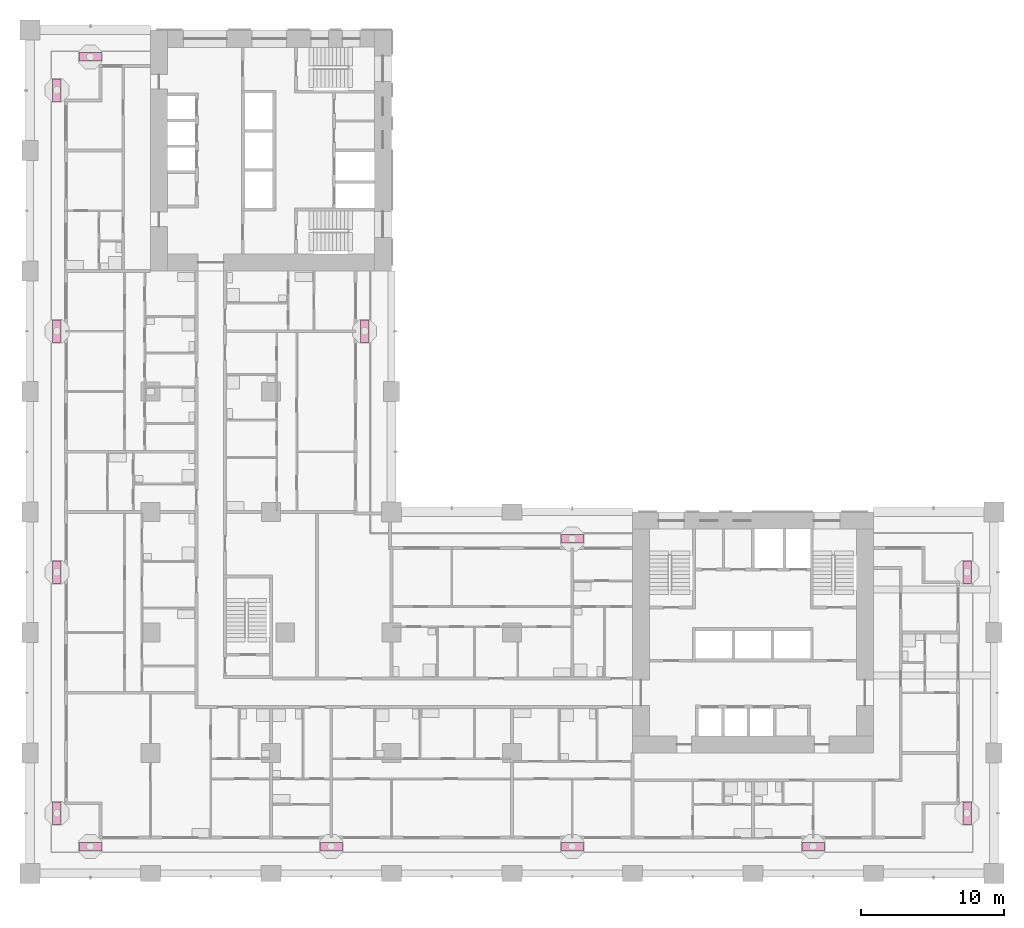
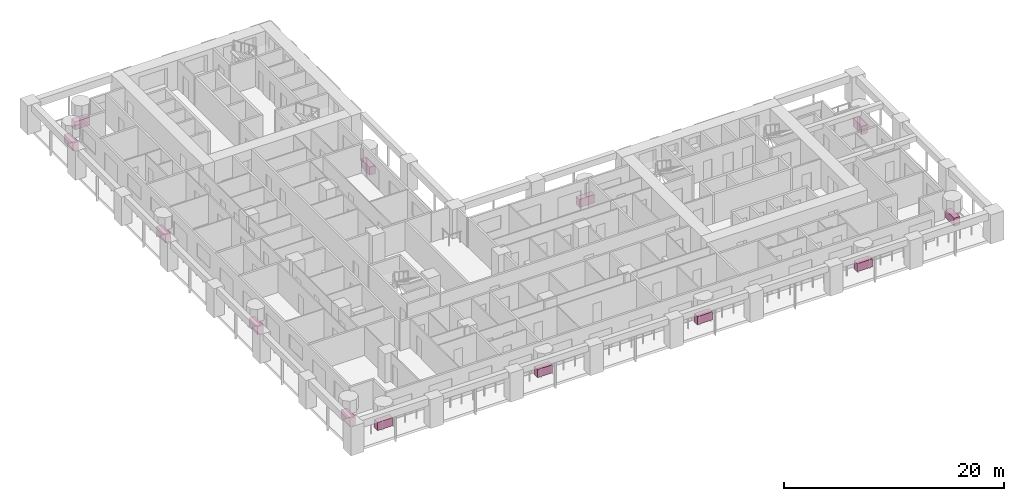
# One storey, part 20 of 21: 13 furniture elements.
"""IFC4 building model written with IfcOpenShell, lengths in metres."""

from ifc_helpers import new_model, si_unit, direction, frame, origin, origin_2d, place, context, subcontext, project, spatial, rectangle, extrude, material, element, save


model = new_model("IFC4")

# Units and contexts
model_context = context("Model", 3, precision=1e-05, world=origin(), true_north=direction((0.0, 1.0)))
body_context = subcontext(model_context, "Body", "Model", "MODEL_VIEW")
ifc_project = project(units=[si_unit("LENGTHUNIT", "METRE"), si_unit("AREAUNIT", "SQUARE_METRE"), si_unit("VOLUMEUNIT", "CUBIC_METRE"), si_unit("PLANEANGLEUNIT", "RADIAN"), si_unit("MASSUNIT", "GRAM", prefix="KILO")], contexts=[model_context])

# Site, building, storey
site_placement = place(None, origin())
site = spatial("IfcSite", under=ifc_project, at=site_placement, CompositionType="ELEMENT")
building_placement = place(site_placement, origin())
building = spatial("IfcBuilding", under=site, at=building_placement, Name="Vermilion Gate Residences", CompositionType="ELEMENT")
storey_placement = place(building_placement, frame((0.0, 0.0, 67.199951171875)))
storey = spatial("IfcBuildingStorey", under=building, at=storey_placement, Name="L16", CompositionType="ELEMENT", Elevation=67.199951171875)

# Furniture
ifc_material = material(Name="Terracotta planter", Category="masonry")
for number, where, z_axis, x_axis, name in (
    (1, (4.199951171875, 1.875, 0.0), (0.0, 0.0, 1.0), (1.0, 0.0, 0.0), "PLANTER"),
    (2, (21.0, 1.875, 0.0), (0.0, 0.0, 1.0), (1.0, 0.0, 0.0), "PLANTER"),
    (3, (37.800048828125, 1.875, 0.0), (0.0, 0.0, 1.0), (1.0, 0.0, 0.0), "PLANTER"),
    (4, (54.60009765625, 1.875, 0.0), (0.0, 0.0, 1.0), (1.0, 0.0, 0.0), "PLANTER"),
    (5, (65.324951171875, 4.199951171875, 0.0), (0.0, 0.0, 1.0), (0.0, 1.0, 0.0), "PLANTER"),
    (6, (65.324951171875, 21.0, 0.0), (0.0, 0.0, 1.0), (0.0, 1.0, 0.0), "PLANTER"),
    (7, (37.800048828125, 23.324951171875, 0.0), (0.0, 0.0, 1.0), (-1.0, 0.0, 0.0), "PLANTER"),
    (8, (23.324951171875, 37.800048828125, 0.0), (0.0, 0.0, 1.0), (0.0, 1.0, 0.0), "PLANTER"),
    (9, (4.199951171875, 56.925048828125, 0.0), (0.0, 0.0, 1.0), (-1.0, 0.0, 0.0), "PLANTER"),
    (10, (1.875, 4.199951171875, 0.0), (0.0, 0.0, 1.0), (0.0, -1.0, 0.0), "PLANTER"),
    (11, (1.875, 21.0, 0.0), (0.0, 0.0, 1.0), (0.0, -1.0, 0.0), "PLANTER"),
    (12, (1.875, 37.800048828125, 0.0), (0.0, 0.0, 1.0), (0.0, -1.0, 0.0), "PLANTER"),
    (13, (1.875, 54.60009765625, 0.0), (0.0, 0.0, 1.0), (0.0, -1.0, 0.0), "PLANTER"),
):
    element("IfcFurniture", number, at=place(storey_placement, frame(where, z_axis=z_axis, x_axis=x_axis)), inside=storey, material=ifc_material, Name=name, ObjectType="PLANTER", PredefinedType="USERDEFINED", context=body_context, shape_type="SweptSolid", body=[
        extrude(rectangle(XDim=1.60009765625, YDim=0.60009765625, at=origin_2d()), origin(), (0.0, 0.0, 1.0), 0.89990234375),
    ])

save(model, "model.ifc")
